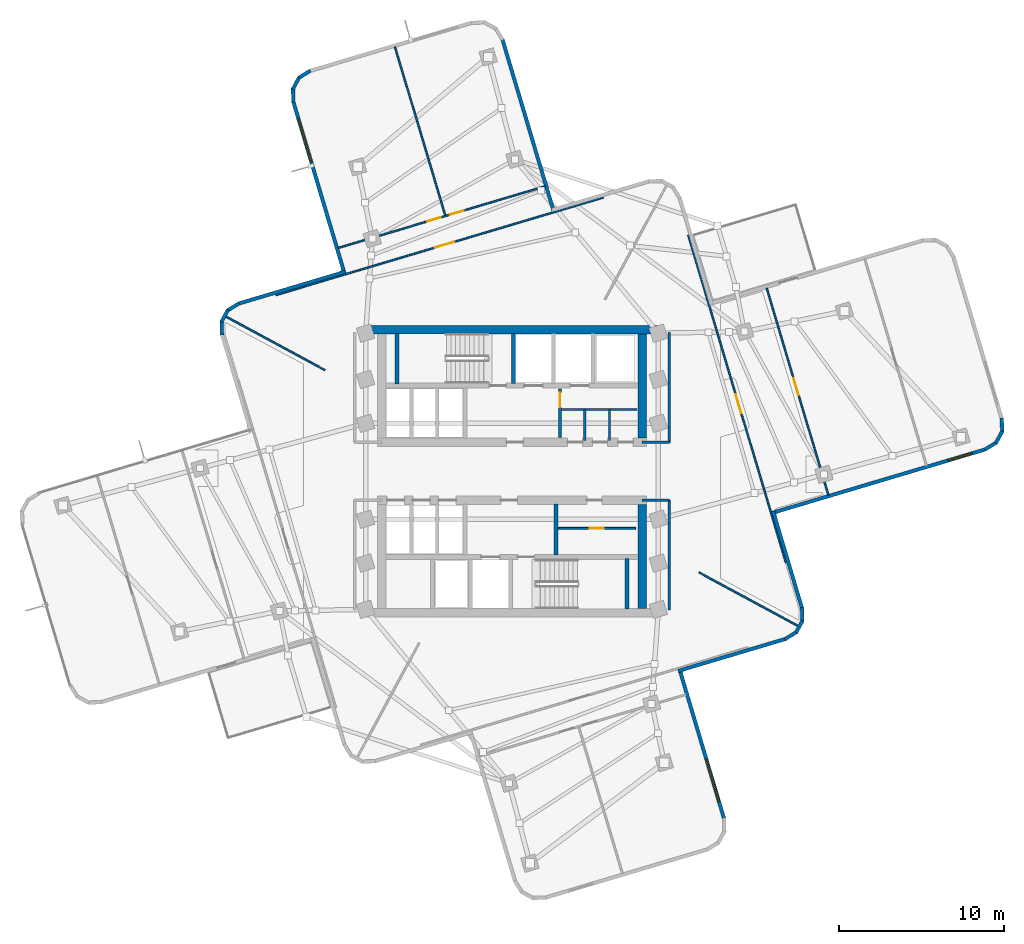
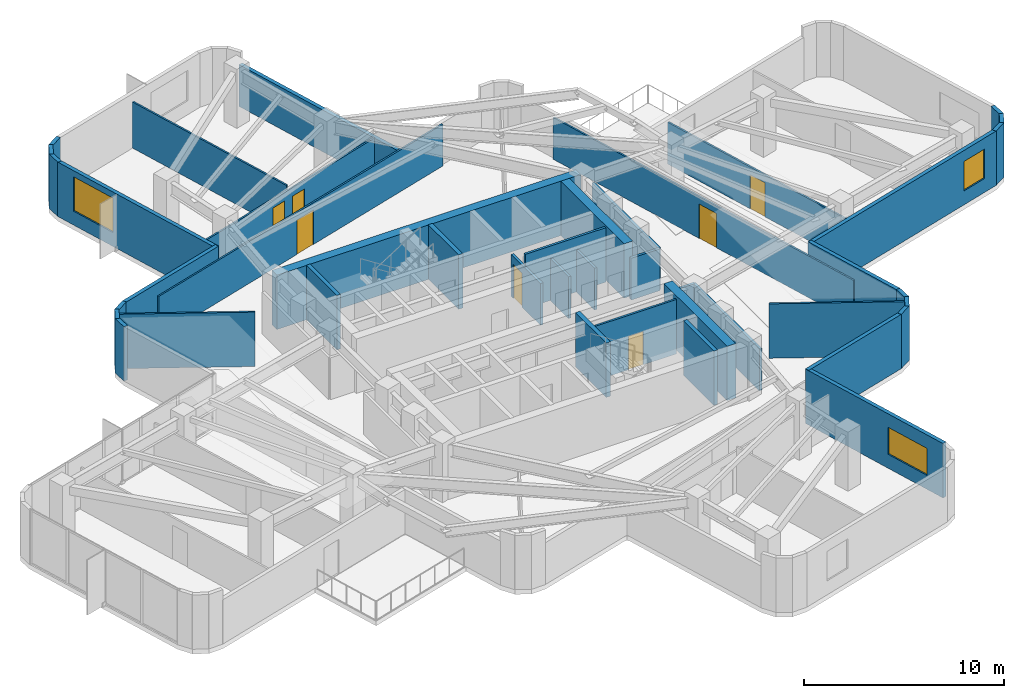
# One storey, part 7 of 11: 42 walls, 7 doors, 3 windows, 10 openings.
"""IFC4 building model written with IfcOpenShell, lengths in metres."""

from ifc_helpers import new_model, si_unit, direction, frame, frame_2d, origin, place, context, subcontext, project, spatial, rectangle, extrude, material, layer, layer_set, type_object, element, fill, save


model = new_model("IFC4")

# Units and contexts
model_context = context("Model", 3, precision=1e-05, world=origin(), true_north=direction((0.0, 1.0)))
body_context = subcontext(model_context, "Body", "Model", "MODEL_VIEW")
ifc_project = project(units=[si_unit("LENGTHUNIT", "METRE"), si_unit("AREAUNIT", "SQUARE_METRE"), si_unit("VOLUMEUNIT", "CUBIC_METRE"), si_unit("PLANEANGLEUNIT", "RADIAN"), si_unit("MASSUNIT", "GRAM", prefix="KILO")], contexts=[model_context])

# Site, building, storey
site_placement = place(None, origin())
site = spatial("IfcSite", under=ifc_project, at=site_placement, CompositionType="ELEMENT")
building_placement = place(site_placement, origin())
building = spatial("IfcBuilding", under=site, at=building_placement, Name="Solmarez Civic Tower", CompositionType="ELEMENT")
storey_placement = place(building_placement, frame((0.0, 0.0, 141.47998046875)))
storey = spatial("IfcBuildingStorey", under=building, at=storey_placement, Name="L37", CompositionType="ELEMENT", Elevation=141.47998046875)

# Walls
ifc_material_1 = material(Name="Concrete C60/75", Category="concrete")
ifc_layer_1 = layer(ifc_material_1, 0.5)
ifc_layer_set_1 = layer_set([ifc_layer_1], Name="Concrete C60/75")
wall_type_1 = type_object("IfcWallType", Name="WALL-CORE-500", PredefinedType="SHEAR", material=ifc_layer_set_1)
wall_1_placement = place(storey_placement, frame((-8.780029296875, 8.56005859375, 0.0), z_axis=(0.0, 0.0, 1.0), x_axis=(1.0, 0.0, 0.0)))
element("IfcWall", 1, at=wall_1_placement, inside=storey, type_object=wall_type_1, Name="L37 Split-Core Structural Wall NCW-N-L37", PredefinedType="SHEAR", context=body_context, shape_type="SweptSolid", body=[
    extrude(rectangle(XDim=17.56005859375, YDim=0.5, at=frame_2d((8.780029296875, 0.0))), origin(), (0.0, 0.0, 1.0), 3.320068359375),
])
for number, where, z_axis, x_axis, name in (
    (2, (7.8701171875, 8.31005859375, 0.0), (0.0, 0.0, 1.0), (0.0, -1.0, 0.0), "L37 Split-Core Structural Wall NCW-E-L37"),
    (3, (7.8701171875, -2.0, 0.0), (0.0, 0.0, 1.0), (0.0, -1.0, 0.0), "L37 Split-Core Structural Wall SCW-E-L37"),
):
    element("IfcWall", number, at=place(storey_placement, frame(where, z_axis=z_axis, x_axis=x_axis)), inside=storey, type_object=wall_type_1, Name=name, PredefinedType="SHEAR", context=body_context, shape_type="SweptSolid", body=[
        extrude(rectangle(XDim=6.31005859375, YDim=0.5, at=frame_2d((3.155029296875, 0.0))), origin(), (0.0, 0.0, 1.0), 3.320068359375),
    ])
ifc_material_2 = material(Name="Precast concrete C40/50", Category="concrete")
ifc_layer_2 = layer(ifc_material_2, 0.219970703125)
ifc_layer_set_2 = layer_set([ifc_layer_2], Name="Precast concrete C40/50")
wall_type_2 = type_object("IfcWallType", Name="WALL-EXT-220", PredefinedType="SOLIDWALL", material=ifc_layer_set_2)
wall_2_placement = place(storey_placement, frame((-17.532958984375, 8.24609375, 0.0), z_axis=(0.0, 0.0, 1.0), x_axis=(-0.028676726094, 0.999588738122, 0.0)))
element("IfcWall", 4, at=wall_2_placement, inside=storey, type_object=wall_type_2, Name="L37 Exterior Precast Wall 14", PredefinedType="SOLIDWALL", context=body_context, shape_type="SweptSolid", body=[
    extrude(rectangle(XDim=0.834228515625, YDim=0.219970703125, at=frame_2d((0.4169921875, 0.0))), origin(), (0.0, 0.0, 1.0), 3.320068359375),
])
wall_3_placement = place(storey_placement, frame((-17.568115234375, 9.032958984375, 0.0), z_axis=(0.0, 0.0, 1.0), x_axis=(0.475928115507, 0.879484183411, 0.0)))
element("IfcWall", 5, at=wall_3_placement, inside=storey, type_object=wall_type_2, Name="L37 Exterior Precast Wall 15", PredefinedType="SOLIDWALL", context=body_context, shape_type="SweptSolid", body=[
    extrude(rectangle(XDim=0.81982421875, YDim=0.219970703125, at=frame_2d((0.409912109375, 0.0))), origin(), (0.0, 0.0, 1.0), 3.320068359375),
])
wall_4_placement = place(storey_placement, frame((-17.2109375, 9.718994140625, 0.0), z_axis=(0.0, 0.0, 1.0), x_axis=(0.851597982144, 0.524195456684, 0.0)))
element("IfcWall", 6, at=wall_4_placement, inside=storey, type_object=wall_type_2, Name="L37 Exterior Precast Wall 16", PredefinedType="SOLIDWALL", context=body_context, shape_type="SweptSolid", body=[
    extrude(rectangle(XDim=0.833740234375, YDim=0.219970703125, at=frame_2d((0.4169921875, 0.0))), origin(), (0.0, 0.0, 1.0), 3.320068359375),
])
wall_5_placement = place(storey_placement, frame((-16.5458984375, 10.135986328125, 0.0), z_axis=(0.0, 0.0, 1.0), x_axis=(0.958346765514, 0.285607207592, 0.0)))
element("IfcWall", 7, at=wall_5_placement, inside=storey, type_object=wall_type_2, Name="L37 Exterior Precast Wall 17", PredefinedType="SOLIDWALL", context=body_context, shape_type="SweptSolid", body=[
    extrude(rectangle(XDim=6.75732421875, YDim=0.219970703125, at=frame_2d((3.378662109375, 0.0))), origin(), (0.0, 0.0, 1.0), 3.320068359375),
])

# Wall, opening, window
wall_6_placement = place(storey_placement, frame((-10.12890625, 11.95703125, 0.0), z_axis=(0.0, 0.0, 1.0), x_axis=(-0.285596101976, 0.958350075148, 0.0)))
wall_6 = element("IfcWall", 8, at=wall_6_placement, inside=storey, type_object=wall_type_2, Name="L37 Exterior Precast Wall 20", PredefinedType="SOLIDWALL", context=body_context, shape_type="SweptSolid", body=[
    extrude(rectangle(XDim=10.858154296875, YDim=0.219970703125, at=frame_2d((5.42919921875, 0.0))), origin(), (0.0, 0.0, 1.0), 3.320068359375),
])
opening_1_placement = place(wall_6_placement, frame((7.05810546875, 0.0, 0.85009765625)))
opening_1 = element("IfcOpeningElement", 9, at=opening_1_placement, cuts=wall_6, Name="Opening W-01", PredefinedType="OPENING", context=body_context, shape_type="SweptSolid", body=[
    extrude(rectangle(XDim=2.699951171875, YDim=2.10009765625, at=frame_2d((1.35009765625, 1.050048828125))), frame((0.0, 0.119873046875, 0.0), z_axis=(0.0, -1.0, 0.0), x_axis=(1.0, 0.0, 0.0)), (0.0, 0.0, 1.0), 0.239990234375),
])
ifc_material_3 = material(Name="Solar Control Bronze-Tinted Insulating Glass", Category="glass")
window_type_1 = type_object("IfcWindowType", Name="WIN-2700X2100", PartitioningType="SINGLE_PANEL", PredefinedType="WINDOW", material=ifc_material_3)
window_1_placement = place(opening_1_placement, origin())
window_1 = element("IfcWindow", 10, at=window_1_placement, inside=storey, type_object=window_type_1, Name="L37 Exterior Facade Window 20", OverallHeight=2.10009765625, OverallWidth=2.699951171875, PartitioningType="SINGLE_PANEL", PredefinedType="WINDOW", context=body_context, shape_type="SweptSolid", body=[
    extrude(rectangle(XDim=2.699951171875, YDim=2.10009765625, at=frame_2d((1.35009765625, 1.050048828125))), frame((0.0, 0.030029296875, 0.0), z_axis=(0.0, -1.0, 0.0), x_axis=(1.0, 0.0, 0.0)), (0.0, 0.0, 1.0), 0.06005859375),
])
fill(opening_1, window_1)

# Walls
wall_7_placement = place(storey_placement, frame((-13.221923828125, 22.31396484375, 0.0), z_axis=(0.0, 0.0, 1.0), x_axis=(-0.028969101418, 0.999580307511, 0.0)))
element("IfcWall", 11, at=wall_7_placement, inside=storey, type_object=wall_type_2, Name="L37 Exterior Precast Wall 21", PredefinedType="SOLIDWALL", context=body_context, shape_type="SweptSolid", body=[
    extrude(rectangle(XDim=0.834228515625, YDim=0.219970703125, at=frame_2d((0.4169921875, 0.0))), origin(), (0.0, 0.0, 1.0), 3.320068359375),
])
wall_8_placement = place(storey_placement, frame((-13.257080078125, 23.10107421875, 0.0), z_axis=(0.0, 0.0, 1.0), x_axis=(0.475928115507, 0.879484183411, 0.0)))
element("IfcWall", 12, at=wall_8_placement, inside=storey, type_object=wall_type_2, Name="L37 Exterior Precast Wall 22", PredefinedType="SOLIDWALL", context=body_context, shape_type="SweptSolid", body=[
    extrude(rectangle(XDim=0.81982421875, YDim=0.219970703125, at=frame_2d((0.409912109375, 0.0))), origin(), (0.0, 0.0, 1.0), 3.320068359375),
])
wall_9_placement = place(storey_placement, frame((-12.89990234375, 23.787109375, 0.0), z_axis=(0.0, 0.0, 1.0), x_axis=(0.852251459863, 0.52313234383, 0.0)))
element("IfcWall", 13, at=wall_9_placement, inside=storey, type_object=wall_type_2, Name="L37 Exterior Precast Wall 23", PredefinedType="SOLIDWALL", context=body_context, shape_type="SweptSolid", body=[
    extrude(rectangle(XDim=0.8330078125, YDim=0.219970703125, at=frame_2d((0.41650390625, 0.0))), origin(), (0.0, 0.0, 1.0), 3.320068359375),
])
wall_10_placement = place(storey_placement, frame((-0.580078125, 26.134033203125, 0.0), z_axis=(0.0, 0.0, 1.0), x_axis=(0.285596101976, -0.958350075148, 0.0)))
element("IfcWall", 14, at=wall_10_placement, inside=storey, type_object=wall_type_2, Name="L37 Exterior Precast Wall 28", PredefinedType="SOLIDWALL", context=body_context, shape_type="SweptSolid", body=[
    extrude(rectangle(XDim=10.858154296875, YDim=0.219970703125, at=frame_2d((5.42919921875, 0.0))), origin(), (0.0, 0.0, 1.0), 2.550048828125),
])
wall_11_placement = place(storey_placement, frame((29.613037109375, 3.212890625, 0.0), z_axis=(0.0, 0.0, 1.0), x_axis=(0.027507151941, -0.999621606705, 0.0)))
element("IfcWall", 15, at=wall_11_placement, inside=storey, type_object=wall_type_2, Name="L37 Exterior Precast Wall 43", PredefinedType="SOLIDWALL", context=body_context, shape_type="SweptSolid", body=[
    extrude(rectangle(XDim=0.834228515625, YDim=0.219970703125, at=frame_2d((0.4169921875, 0.0))), origin(), (0.0, 0.0, 1.0), 3.320068359375),
])
wall_12_placement = place(storey_placement, frame((29.64697265625, 2.426025390625, 0.0), z_axis=(0.0, 0.0, 1.0), x_axis=(-0.474775054815, -0.880107179453, 0.0)))
element("IfcWall", 16, at=wall_12_placement, inside=storey, type_object=wall_type_2, Name="L37 Exterior Precast Wall 44", PredefinedType="SOLIDWALL", context=body_context, shape_type="SweptSolid", body=[
    extrude(rectangle(XDim=0.819091796875, YDim=0.219970703125, at=frame_2d((0.40966796875, 0.0))), origin(), (0.0, 0.0, 1.0), 3.320068359375),
])
wall_13_placement = place(storey_placement, frame((29.291015625, 1.739990234375, 0.0), z_axis=(0.0, 0.0, 1.0), x_axis=(-0.851597982144, -0.524195456684, 0.0)))
element("IfcWall", 17, at=wall_13_placement, inside=storey, type_object=wall_type_2, Name="L37 Exterior Precast Wall 45", PredefinedType="SOLIDWALL", context=body_context, shape_type="SweptSolid", body=[
    extrude(rectangle(XDim=0.833740234375, YDim=0.219970703125, at=frame_2d((0.4169921875, 0.0))), origin(), (0.0, 0.0, 1.0), 3.320068359375),
])

# Wall, opening, window
wall_14_placement = place(storey_placement, frame((28.6259765625, 1.322998046875, 0.0), z_axis=(0.0, 0.0, 1.0), x_axis=(-0.958343962332, -0.285616613419, 0.0)))
wall_14 = element("IfcWall", 18, at=wall_14_placement, inside=storey, type_object=wall_type_2, Name="L37 Exterior Precast Wall 46", PredefinedType="SOLIDWALL", context=body_context, shape_type="SweptSolid", body=[
    extrude(rectangle(XDim=13.45849609375, YDim=0.219970703125, at=frame_2d((6.729248046875, 0.0))), origin(), (0.0, 0.0, 1.0), 3.320068359375),
])
opening_2_placement = place(wall_14_placement, frame((0.85009765625, 0.0, 0.85009765625)))
opening_2 = element("IfcOpeningElement", 19, at=opening_2_placement, cuts=wall_14, Name="Opening W-13", PredefinedType="OPENING", context=body_context, shape_type="SweptSolid", body=[
    extrude(rectangle(XDim=1.5, YDim=1.800048828125, at=frame_2d((0.75, 0.89990234375))), frame((0.0, 0.119873046875, 0.0), z_axis=(0.0, -1.0, 0.0), x_axis=(1.0, 0.0, 0.0)), (0.0, 0.0, 1.0), 0.239990234375),
])
window_type_2 = type_object("IfcWindowType", Name="WIN-1500X1800", PartitioningType="SINGLE_PANEL", PredefinedType="WINDOW", material=ifc_material_3)
window_2_placement = place(opening_2_placement, origin())
window_2 = element("IfcWindow", 20, at=window_2_placement, inside=storey, type_object=window_type_2, Name="L37 Exterior Facade Window 46", OverallHeight=1.800048828125, OverallWidth=1.5, PartitioningType="SINGLE_PANEL", PredefinedType="WINDOW", context=body_context, shape_type="SweptSolid", body=[
    extrude(rectangle(XDim=1.5, YDim=1.800048828125, at=frame_2d((0.75, 0.89990234375))), frame((0.0, 0.030029296875, 0.0), z_axis=(0.0, -1.0, 0.0), x_axis=(1.0, 0.0, 0.0)), (0.0, 0.0, 1.0), 0.06005859375),
])
fill(opening_2, window_2)

# Walls
wall_15_placement = place(storey_placement, frame((15.787109375, -2.412109375, 0.0), z_axis=(0.0, 0.0, 1.0), x_axis=(0.285712854037, -0.958315274342, 0.0)))
element("IfcWall", 21, at=wall_15_placement, inside=storey, type_object=wall_type_2, Name="L37 Exterior Precast Wall 49", PredefinedType="SOLIDWALL", context=body_context, shape_type="SweptSolid", body=[
    extrude(rectangle(XDim=6.138671875, YDim=0.219970703125, at=frame_2d((3.0693359375, 0.0))), origin(), (0.0, 0.0, 1.0), 3.320068359375),
])
wall_16_placement = place(storey_placement, frame((17.532958984375, -8.24609375, 0.0), z_axis=(0.0, 0.0, 1.0), x_axis=(0.028676726094, -0.999588738122, 0.0)))
element("IfcWall", 22, at=wall_16_placement, inside=storey, type_object=wall_type_2, Name="L37 Exterior Precast Wall 50", PredefinedType="SOLIDWALL", context=body_context, shape_type="SweptSolid", body=[
    extrude(rectangle(XDim=0.834228515625, YDim=0.219970703125, at=frame_2d((0.4169921875, 0.0))), origin(), (0.0, 0.0, 1.0), 3.320068359375),
])
wall_17_placement = place(storey_placement, frame((17.568115234375, -9.032958984375, 0.0), z_axis=(0.0, 0.0, 1.0), x_axis=(-0.475928115507, -0.879484183411, 0.0)))
element("IfcWall", 23, at=wall_17_placement, inside=storey, type_object=wall_type_2, Name="L37 Exterior Precast Wall 51", PredefinedType="SOLIDWALL", context=body_context, shape_type="SweptSolid", body=[
    extrude(rectangle(XDim=0.81982421875, YDim=0.219970703125, at=frame_2d((0.409912109375, 0.0))), origin(), (0.0, 0.0, 1.0), 3.320068359375),
])
wall_18_placement = place(storey_placement, frame((17.2109375, -9.718994140625, 0.0), z_axis=(0.0, 0.0, 1.0), x_axis=(-0.851597982144, -0.524195456684, 0.0)))
element("IfcWall", 24, at=wall_18_placement, inside=storey, type_object=wall_type_2, Name="L37 Exterior Precast Wall 52", PredefinedType="SOLIDWALL", context=body_context, shape_type="SweptSolid", body=[
    extrude(rectangle(XDim=0.833740234375, YDim=0.219970703125, at=frame_2d((0.4169921875, 0.0))), origin(), (0.0, 0.0, 1.0), 3.320068359375),
])
wall_19_placement = place(storey_placement, frame((16.5458984375, -10.135986328125, 0.0), z_axis=(0.0, 0.0, 1.0), x_axis=(-0.958346765514, -0.285607207592, 0.0)))
element("IfcWall", 25, at=wall_19_placement, inside=storey, type_object=wall_type_2, Name="L37 Exterior Precast Wall 53", PredefinedType="SOLIDWALL", context=body_context, shape_type="SweptSolid", body=[
    extrude(rectangle(XDim=6.75732421875, YDim=0.219970703125, at=frame_2d((3.378662109375, 0.0))), origin(), (0.0, 0.0, 1.0), 3.320068359375),
])

# Wall, opening, window
wall_20_placement = place(storey_placement, frame((10.12890625, -11.95703125, 0.0), z_axis=(0.0, 0.0, 1.0), x_axis=(0.285599672934, -0.958349010966, 0.0)))
wall_20 = element("IfcWall", 26, at=wall_20_placement, inside=storey, type_object=wall_type_2, Name="L37 Exterior Precast Wall 56", PredefinedType="SOLIDWALL", context=body_context, shape_type="SweptSolid", body=[
    extrude(rectangle(XDim=9.4580078125, YDim=0.219970703125, at=frame_2d((4.72900390625, 0.0))), origin(), (0.0, 0.0, 1.0), 3.320068359375),
])
opening_3_placement = place(wall_20_placement, frame((5.657958984375, 0.0, 0.85009765625)))
opening_3 = element("IfcOpeningElement", 27, at=opening_3_placement, cuts=wall_20, Name="Opening W-09", PredefinedType="OPENING", context=body_context, shape_type="SweptSolid", body=[
    extrude(rectangle(XDim=2.699951171875, YDim=1.64990234375, at=frame_2d((1.35009765625, 0.824951171875))), frame((0.0, 0.119873046875, 0.0), z_axis=(0.0, -1.0, 0.0), x_axis=(1.0, 0.0, 0.0)), (0.0, 0.0, 1.0), 0.239990234375),
])
window_type_3 = type_object("IfcWindowType", Name="WIN-2700X1650", PartitioningType="SINGLE_PANEL", PredefinedType="WINDOW", material=ifc_material_3)
window_3_placement = place(opening_3_placement, origin())
window_3 = element("IfcWindow", 28, at=window_3_placement, inside=storey, type_object=window_type_3, Name="L37 Exterior Facade Window 56", OverallHeight=1.64990234375, OverallWidth=2.699951171875, PartitioningType="SINGLE_PANEL", PredefinedType="WINDOW", context=body_context, shape_type="SweptSolid", body=[
    extrude(rectangle(XDim=2.699951171875, YDim=1.64990234375, at=frame_2d((1.35009765625, 0.824951171875))), frame((0.0, 0.030029296875, 0.0), z_axis=(0.0, -1.0, 0.0), x_axis=(1.0, 0.0, 0.0)), (0.0, 0.0, 1.0), 0.06005859375),
])
fill(opening_3, window_3)

# Walls
ifc_material_4 = material(Name="Gypsum Board Acoustic Steel-Stud Partition", Category="steel")
ifc_layer_3 = layer(ifc_material_4, 0.14990234375)
ifc_layer_set_3 = layer_set([ifc_layer_3], Name="Gypsum Board Acoustic Steel-Stud Partition")
wall_type_3 = type_object("IfcWallType", Name="WALL-INT-FIRE-150", PredefinedType="PARTITIONING", material=ifc_layer_set_3)
wall_21_placement = place(storey_placement, frame((9.52001953125, 1.75, 0.0), z_axis=(0.0, 0.0, 1.0), x_axis=(0.0, 1.0, 0.0)))
element("IfcWall", 29, at=wall_21_placement, inside=storey, type_object=wall_type_3, Name="L37 Interior Partition CHW-L37-EN1", PredefinedType="PARTITIONING", context=body_context, shape_type="SweptSolid", body=[
    extrude(rectangle(XDim=6.6298828125, YDim=0.14990234375, at=frame_2d((3.31494140625, 0.0))), origin(), (0.0, 0.0, 1.0), 2.550048828125),
])
wall_22_placement = place(storey_placement, frame((7.85009765625, 1.75, 0.0), z_axis=(0.0, 0.0, 1.0), x_axis=(1.0, 0.0, 0.0)))
element("IfcWall", 30, at=wall_22_placement, inside=storey, type_object=wall_type_3, Name="L37 Interior Partition CHW-L37-EN3", PredefinedType="PARTITIONING", context=body_context, shape_type="SweptSolid", body=[
    extrude(rectangle(XDim=1.669921875, YDim=0.14990234375, at=frame_2d((0.8349609375, 0.0))), origin(), (0.0, 0.0, 1.0), 2.550048828125),
])
wall_23_placement = place(storey_placement, frame((9.52001953125, -8.3798828125, 0.0), z_axis=(0.0, 0.0, 1.0), x_axis=(0.0, 1.0, 0.0)))
element("IfcWall", 31, at=wall_23_placement, inside=storey, type_object=wall_type_3, Name="L37 Interior Partition CHW-L37-ES1", PredefinedType="PARTITIONING", context=body_context, shape_type="SweptSolid", body=[
    extrude(rectangle(XDim=6.6298828125, YDim=0.14990234375, at=frame_2d((3.31494140625, 0.0))), origin(), (0.0, 0.0, 1.0), 2.550048828125),
])
wall_24_placement = place(storey_placement, frame((7.85009765625, -1.75, 0.0), z_axis=(0.0, 0.0, 1.0), x_axis=(1.0, 0.0, 0.0)))
element("IfcWall", 32, at=wall_24_placement, inside=storey, type_object=wall_type_3, Name="L37 Interior Partition CHW-L37-ES3", PredefinedType="PARTITIONING", context=body_context, shape_type="SweptSolid", body=[
    extrude(rectangle(XDim=1.669921875, YDim=0.14990234375, at=frame_2d((0.8349609375, 0.0))), origin(), (0.0, 0.0, 1.0), 2.550048828125),
])
ifc_layer_4 = layer(ifc_material_4, 0.10009765625)
ifc_layer_set_4 = layer_set([ifc_layer_4], Name="Gypsum Board Acoustic Steel-Stud Partition")
wall_type_4 = type_object("IfcWallType", Name="WALL-INT-PART-100", PredefinedType="PARTITIONING", material=ifc_layer_set_4)
for number, where, z_axis, x_axis, name in (
    (33, (-11.300048828125, 6.110107421875, 0.0), (0.0, 0.0, 1.0), (-0.879653556483, 0.475614991948, 0.0), "L37 Interior Partition PT-L37-QDIV-2"),
    (34, (11.300048828125, -6.110107421875, 0.0), (0.0, 0.0, 1.0), (0.879653556483, -0.475614991948, 0.0), "L37 Interior Partition PT-L37-QDIV-4"),
):
    element("IfcWall", number, at=place(storey_placement, frame(where, z_axis=z_axis, x_axis=x_axis)), inside=storey, type_object=wall_type_4, Name=name, PredefinedType="PARTITIONING", context=body_context, shape_type="SweptSolid", body=[
        extrude(rectangle(XDim=6.82861328125, YDim=0.10009765625, at=frame_2d((3.414306640625, 0.0))), origin(), (0.0, 0.0, 1.0), 3.320068359375),
    ])

# Wall, opening, door
wall_25_placement = place(storey_placement, frame((10.655029296875, 14.279052734375, 0.0), z_axis=(0.0, 0.0, 1.0), x_axis=(0.285665949025, -0.958329257389, 0.0)))
wall_25 = element("IfcWall", 35, at=wall_25_placement, inside=storey, type_object=wall_type_4, Name="L37 Interior Partition PT-L37-E-ENT", PredefinedType="PARTITIONING", context=body_context, shape_type="SweptSolid", body=[
    extrude(rectangle(XDim=20.659912109375, YDim=0.10009765625, at=frame_2d((10.330078125, 0.0))), origin(), (0.0, 0.0, 1.0), 2.550048828125),
])
opening_4_placement = place(wall_25_placement, frame((10.0400390625, 0.0, 0.0)))
opening_4 = element("IfcOpeningElement", 36, at=opening_4_placement, cuts=wall_25, Name="Opening D-11", PredefinedType="OPENING", context=body_context, shape_type="SweptSolid", body=[
    extrude(rectangle(XDim=1.199951171875, YDim=2.10009765625, at=frame_2d((0.60009765625, 1.050048828125))), frame((0.0, 0.06005859375, 0.0), z_axis=(0.0, -1.0, 0.0), x_axis=(1.0, 0.0, 0.0)), (0.0, 0.0, 1.0), 0.1201171875),
])
ifc_material_5 = material(Name="Glazed-Vision Acoustic Chamber Door", Category="wood")
door_type_1 = type_object("IfcDoorType", Name="DOOR-INT-1200", OperationType="NOTDEFINED", PredefinedType="DOOR", material=ifc_material_5)
door_1_placement = place(opening_4_placement, origin())
door_1 = element("IfcDoor", 37, at=door_1_placement, inside=storey, type_object=door_type_1, Name="L37 Maritime Registry Citizen Consultation Room First East Door", OperationType="SINGLE_SWING_LEFT", OverallHeight=2.10009765625, OverallWidth=1.199951171875, PredefinedType="DOOR", context=body_context, shape_type="SweptSolid", body=[
    extrude(rectangle(XDim=1.199951171875, YDim=2.10009765625, at=frame_2d((0.60009765625, 1.050048828125))), frame((0.0, 0.02490234375, 0.0), z_axis=(0.0, -1.0, 0.0), x_axis=(1.0, 0.0, 0.0)), (0.0, 0.0, 1.0), 0.050048828125),
])
fill(opening_4, door_1)

wall_26_placement = place(storey_placement, frame((15.39794921875, 11.075927734375, 0.0), z_axis=(0.0, 0.0, 1.0), x_axis=(0.285679130118, -0.958325328171, 0.0)))
wall_26 = element("IfcWall", 38, at=wall_26_placement, inside=storey, type_object=wall_type_4, Name="L37 Interior Partition PT-L37-E-SC1", PredefinedType="PARTITIONING", context=body_context, shape_type="SweptSolid", body=[
    extrude(rectangle(XDim=13.0498046875, YDim=0.10009765625, at=frame_2d((6.52490234375, 0.0))), origin(), (0.0, 0.0, 1.0), 2.550048828125),
])
opening_5_placement = place(wall_26_placement, frame((5.68994140625, 0.0, 0.0)))
opening_5 = element("IfcOpeningElement", 39, at=opening_5_placement, cuts=wall_26, Name="Opening D-13", PredefinedType="OPENING", context=body_context, shape_type="SweptSolid", body=[
    extrude(rectangle(XDim=1.050048828125, YDim=2.080078125, at=frame_2d((0.52490234375, 1.0400390625))), frame((0.0, 0.06005859375, 0.0), z_axis=(0.0, -1.0, 0.0), x_axis=(1.0, 0.0, 0.0)), (0.0, 0.0, 1.0), 0.1201171875),
])
ifc_material_6 = material(Name="Timber Directorate Office Door", Category="wood")
door_type_2 = type_object("IfcDoorType", Name="DOOR-INT-1050", OperationType="NOTDEFINED", PredefinedType="DOOR", material=ifc_material_6)
door_2_placement = place(opening_5_placement, origin())
door_2 = element("IfcDoor", 40, at=door_2_placement, inside=storey, type_object=door_type_2, Name="L37 Policy Administration Office East Door", OperationType="SINGLE_SWING_LEFT", OverallHeight=2.080078125, OverallWidth=1.050048828125, PredefinedType="DOOR", context=body_context, shape_type="SweptSolid", body=[
    extrude(rectangle(XDim=1.050048828125, YDim=2.080078125, at=frame_2d((0.52490234375, 1.0400390625))), frame((0.0, 0.02490234375, 0.0), z_axis=(0.0, -1.0, 0.0), x_axis=(1.0, 0.0, 0.0)), (0.0, 0.0, 1.0), 0.050048828125),
])
fill(opening_5, door_2)

wall_27_placement = place(storey_placement, frame((-14.279052734375, 10.655029296875, 0.0), z_axis=(0.0, 0.0, 1.0), x_axis=(0.958329257389, 0.285665949025, 0.0)))
wall_27 = element("IfcWall", 41, at=wall_27_placement, inside=storey, type_object=wall_type_4, Name="L37 Interior Partition PT-L37-N-ENT", PredefinedType="PARTITIONING", context=body_context, shape_type="SweptSolid", body=[
    extrude(rectangle(XDim=20.659912109375, YDim=0.10009765625, at=frame_2d((10.330078125, 0.0))), origin(), (0.0, 0.0, 1.0), 2.550048828125),
])
opening_6_placement = place(wall_27_placement, frame((10.0400390625, 0.0, 0.0)))
opening_6 = element("IfcOpeningElement", 42, at=opening_6_placement, cuts=wall_27, Name="Opening D-11", PredefinedType="OPENING", context=body_context, shape_type="SweptSolid", body=[
    extrude(rectangle(XDim=1.199951171875, YDim=2.10009765625, at=frame_2d((0.60009765625, 1.050048828125))), frame((0.0, 0.06005859375, 0.0), z_axis=(0.0, -1.0, 0.0), x_axis=(1.0, 0.0, 0.0)), (0.0, 0.0, 1.0), 0.1201171875),
])
door_3_placement = place(opening_6_placement, origin())
door_3 = element("IfcDoor", 43, at=door_3_placement, inside=storey, type_object=door_type_1, Name="L37 Policy Administration Office First North Door", OperationType="SINGLE_SWING_LEFT", OverallHeight=2.10009765625, OverallWidth=1.199951171875, PredefinedType="DOOR", context=body_context, shape_type="SweptSolid", body=[
    extrude(rectangle(XDim=1.199951171875, YDim=2.10009765625, at=frame_2d((0.60009765625, 1.050048828125))), frame((0.0, 0.02490234375, 0.0), z_axis=(0.0, -1.0, 0.0), x_axis=(1.0, 0.0, 0.0)), (0.0, 0.0, 1.0), 0.050048828125),
])
fill(opening_6, door_3)

# Wall
wall_28_placement = place(storey_placement, frame((-4.0439453125, 15.489990234375, 0.0), z_axis=(0.0, 0.0, 1.0), x_axis=(-0.285623556367, 0.958341893088, 0.0)))
element("IfcWall", 44, at=wall_28_placement, inside=storey, type_object=wall_type_4, Name="L37 Interior Partition PT-L37-N-TSP", PredefinedType="PARTITIONING", context=body_context, shape_type="SweptSolid", body=[
    extrude(rectangle(XDim=10.615234375, YDim=0.10009765625, at=frame_2d((5.3076171875, 0.0))), origin(), (0.0, 0.0, 1.0), 2.81201171875),
])

# Wall, openings, doors
wall_29_placement = place(storey_placement, frame((1.99609375, 17.22802734375, 0.0), z_axis=(0.0, 0.0, 1.0), x_axis=(-0.958326854981, -0.285674008308, 0.0)))
wall_29 = element("IfcWall", 45, at=wall_29_placement, inside=storey, type_object=wall_type_4, Name="L37 Interior Partition PT-L37-N-SCUT", PredefinedType="PARTITIONING", context=body_context, shape_type="SweptSolid", body=[
    extrude(rectangle(XDim=13.050048828125, YDim=0.10009765625, at=frame_2d((6.52490234375, 0.0))), origin(), (0.0, 0.0, 1.0), 2.550048828125),
])
opening_7_placement = place(wall_29_placement, frame((5.135009765625, 0.0, 0.0)))
opening_7 = element("IfcOpeningElement", 46, at=opening_7_placement, cuts=wall_29, Name="Opening D-14", PredefinedType="OPENING", context=body_context, shape_type="SweptSolid", body=[
    extrude(rectangle(XDim=0.860107421875, YDim=2.0400390625, at=frame_2d((0.43017578125, 1.02001953125))), frame((0.0, 0.06005859375, 0.0), z_axis=(0.0, -1.0, 0.0), x_axis=(1.0, 0.0, 0.0)), (0.0, 0.0, 1.0), 0.1201171875),
])
opening_8_placement = place(wall_29_placement, frame((6.574951171875, 0.0, 0.0)))
opening_8 = element("IfcOpeningElement", 47, at=opening_8_placement, cuts=wall_29, Name="Opening D-14", PredefinedType="OPENING", context=body_context, shape_type="SweptSolid", body=[
    extrude(rectangle(XDim=0.860107421875, YDim=2.0400390625, at=frame_2d((0.43017578125, 1.02001953125))), frame((0.0, 0.06005859375, 0.0), z_axis=(0.0, -1.0, 0.0), x_axis=(1.0, 0.0, 0.0)), (0.0, 0.0, 1.0), 0.1201171875),
])
ifc_material_7 = material(Name="Timber Storage and Pantry Door", Category="wood")
door_type_3 = type_object("IfcDoorType", Name="DOOR-INT-850", OperationType="NOTDEFINED", PredefinedType="DOOR", material=ifc_material_7)
door_4_placement = place(opening_7_placement, origin())
door_4 = element("IfcDoor", 48, at=door_4_placement, inside=storey, type_object=door_type_3, Name="L37 Legal Counselling Room Third North Door", OperationType="SINGLE_SWING_RIGHT", OverallHeight=2.0400390625, OverallWidth=0.860107421875, PredefinedType="DOOR", context=body_context, shape_type="SweptSolid", body=[
    extrude(rectangle(XDim=0.860107421875, YDim=2.0400390625, at=frame_2d((0.43017578125, 1.02001953125))), frame((0.0, 0.02490234375, 0.0), z_axis=(0.0, -1.0, 0.0), x_axis=(1.0, 0.0, 0.0)), (0.0, 0.0, 1.0), 0.050048828125),
])
fill(opening_7, door_4)
door_5_placement = place(opening_8_placement, origin())
door_5 = element("IfcDoor", 49, at=door_5_placement, inside=storey, type_object=door_type_3, Name="L37 Directorate Office Second North Door", OperationType="SINGLE_SWING_LEFT", OverallHeight=2.0400390625, OverallWidth=0.860107421875, PredefinedType="DOOR", context=body_context, shape_type="SweptSolid", body=[
    extrude(rectangle(XDim=0.860107421875, YDim=2.0400390625, at=frame_2d((0.43017578125, 1.02001953125))), frame((0.0, 0.02490234375, 0.0), z_axis=(0.0, -1.0, 0.0), x_axis=(1.0, 0.0, 0.0)), (0.0, 0.0, 1.0), 0.050048828125),
])
fill(opening_8, door_5)

# Wall, opening, door
ifc_layer_5 = layer(ifc_material_4, 0.1201171875)
ifc_layer_set_5 = layer_set([ifc_layer_5], Name="Gypsum Board Acoustic Steel-Stud Partition")
wall_type_5 = type_object("IfcWallType", Name="WALL-INT-PART-120", PredefinedType="PARTITIONING", material=ifc_layer_set_5)
wall_30_placement = place(storey_placement, frame((2.800048828125, -3.449951171875, 0.0), z_axis=(0.0, 0.0, 1.0), x_axis=(1.0, 0.0, 0.0)))
wall_30 = element("IfcWall", 50, at=wall_30_placement, inside=storey, type_object=wall_type_5, Name="L37 Interior Partition PT-FPLL-L37", PredefinedType="PARTITIONING", context=body_context, shape_type="SweptSolid", body=[
    extrude(rectangle(XDim=4.679931640625, YDim=0.1201171875, at=frame_2d((2.33984375, 0.0))), origin(), (0.0, 0.0, 1.0), 3.320068359375),
])
opening_9_placement = place(wall_30_placement, frame((1.89990234375, 0.0, 0.0)))
opening_9 = element("IfcOpeningElement", 51, at=opening_9_placement, cuts=wall_30, Name="Opening D-14", PredefinedType="OPENING", context=body_context, shape_type="SweptSolid", body=[
    extrude(rectangle(XDim=0.860107421875, YDim=2.0400390625, at=frame_2d((0.43017578125, 1.02001953125))), frame((0.0, 0.070068359375, 0.0), z_axis=(0.0, -1.0, 0.0), x_axis=(1.0, 0.0, 0.0)), (0.0, 0.0, 1.0), 0.14013671875),
])
door_6_placement = place(opening_9_placement, origin())
door_6 = element("IfcDoor", 52, at=door_6_placement, inside=storey, type_object=door_type_3, Name="L37 Records Filing Room Door", OperationType="SINGLE_SWING_LEFT", OverallHeight=2.0400390625, OverallWidth=0.860107421875, PredefinedType="DOOR", context=body_context, shape_type="SweptSolid", body=[
    extrude(rectangle(XDim=0.860107421875, YDim=2.0400390625, at=frame_2d((0.43017578125, 1.02001953125))), frame((0.0, 0.02490234375, 0.0), z_axis=(0.0, -1.0, 0.0), x_axis=(1.0, 0.0, 0.0)), (0.0, 0.0, 1.0), 0.050048828125),
])
fill(opening_9, door_6)

ifc_layer_6 = layer(ifc_material_4, 0.159912109375)
ifc_layer_set_6 = layer_set([ifc_layer_6], Name="Gypsum Board Acoustic Steel-Stud Partition")
wall_type_6 = type_object("IfcWallType", Name="WALL-INT-SHAFT-160", PredefinedType="PARTITIONING", material=ifc_layer_set_6)
wall_31_placement = place(storey_placement, frame((2.89990234375, 2.0400390625, 0.0), z_axis=(0.0, 0.0, 1.0), x_axis=(0.0, 1.0, 0.0)))
wall_31 = element("IfcWall", 53, at=wall_31_placement, inside=storey, type_object=wall_type_6, Name="L37 Interior Partition SHW-NL2-L37", PredefinedType="PARTITIONING", context=body_context, shape_type="SweptSolid", body=[
    extrude(rectangle(XDim=2.93994140625, YDim=0.159912109375, at=frame_2d((1.469970703125, 0.0))), origin(), (0.0, 0.0, 1.0), 2.550048828125),
])
opening_10_placement = place(wall_31_placement, frame((1.820068359375, 0.0, 0.0)))
opening_10 = element("IfcOpeningElement", 54, at=opening_10_placement, cuts=wall_31, Name="Opening D-09", PredefinedType="OPENING", context=body_context, shape_type="SweptSolid", body=[
    extrude(rectangle(XDim=0.89990234375, YDim=2.06005859375, at=frame_2d((0.449951171875, 1.030029296875))), frame((0.0, 0.08984375, 0.0), z_axis=(0.0, -1.0, 0.0), x_axis=(1.0, 0.0, 0.0)), (0.0, 0.0, 1.0), 0.179931640625),
])
ifc_material_8 = material(Name="Fire-Rated Service Core Door", Category="wood")
door_type_4 = type_object("IfcDoorType", Name="DOOR-FD60-900", OperationType="NOTDEFINED", PredefinedType="DOOR", material=ifc_material_8)
door_7_placement = place(opening_10_placement, origin())
door_7 = element("IfcDoor", 55, at=door_7_placement, inside=storey, type_object=door_type_4, Name="L37 Service Lift Lobby Door", OperationType="SINGLE_SWING_LEFT", OverallHeight=2.06005859375, OverallWidth=0.89990234375, PredefinedType="DOOR", context=body_context, shape_type="SweptSolid", body=[
    extrude(rectangle(XDim=0.89990234375, YDim=2.06005859375, at=frame_2d((0.449951171875, 1.030029296875))), frame((0.0, 0.02490234375, 0.0), z_axis=(0.0, -1.0, 0.0), x_axis=(1.0, 0.0, 0.0)), (0.0, 0.0, 1.0), 0.050048828125),
])
fill(opening_10, door_7)

# Walls
ifc_layer_7 = layer(ifc_material_4, 0.137939453125)
ifc_layer_set_7 = layer_set([ifc_layer_7], Name="Gypsum Board Acoustic Steel-Stud Partition")
wall_type_7 = type_object("IfcWallType", Name="WALL-INT-WET-140", PredefinedType="PARTITIONING", material=ifc_layer_set_7)
wall_32_placement = place(storey_placement, frame((2.89990234375, 3.739990234375, 0.0), z_axis=(0.0, 0.0, 1.0), x_axis=(1.0, 0.0, 0.0)))
element("IfcWall", 56, at=wall_32_placement, inside=storey, type_object=wall_type_7, Name="L37 Interior Partition SHW-SVH-L37", PredefinedType="PARTITIONING", context=body_context, shape_type="SweptSolid", body=[
    extrude(rectangle(XDim=4.650146484375, YDim=0.137939453125, at=frame_2d((2.3251953125, 0.0))), origin(), (0.0, 0.0, 1.0), 3.320068359375),
])
for number, where, z_axis, x_axis, name in (
    (57, (4.39990234375, 1.85009765625, 0.0), (0.0, 0.0, 1.0), (0.0, 1.0, 0.0), "L37 Interior Partition PT-NCSV1-L37"),
    (58, (5.89990234375, 1.85009765625, 0.0), (0.0, 0.0, 1.0), (0.0, 1.0, 0.0), "L37 Interior Partition PT-NCSV2-L37"),
):
    element("IfcWall", number, at=place(storey_placement, frame(where, z_axis=z_axis, x_axis=x_axis)), inside=storey, type_object=wall_type_7, Name=name, PredefinedType="PARTITIONING", context=body_context, shape_type="SweptSolid", body=[
        extrude(rectangle(XDim=1.889892578125, YDim=0.137939453125, at=frame_2d((0.94482421875, 0.0))), origin(), (0.0, 0.0, 1.0), 2.550048828125),
    ])
ifc_material_9 = material(Name="Concrete C50/60", Category="concrete")
ifc_layer_8 = layer(ifc_material_9, 0.300048828125)
ifc_layer_set_8 = layer_set([ifc_layer_8], Name="Concrete C50/60")
wall_type_8 = type_object("IfcWallType", Name="WALL-STR-300", PredefinedType="SOLIDWALL", material=ifc_layer_set_8)
for number, where, z_axis, x_axis, name in (
    (59, (-6.949951171875, 5.280029296875, 0.0), (0.0, 0.0, 1.0), (0.0, 1.0, 0.0), "L37 Split-Core Structural Wall SHW-NW-L37"),
    (60, (6.949951171875, -8.340087890625, 0.0), (0.0, 0.0, 1.0), (0.0, 1.0, 0.0), "L37 Split-Core Structural Wall SHW-SE-L37"),
):
    element("IfcWall", number, at=place(storey_placement, frame(where, z_axis=z_axis, x_axis=x_axis)), inside=storey, type_object=wall_type_8, Name=name, PredefinedType="SOLIDWALL", context=body_context, shape_type="SweptSolid", body=[
        extrude(rectangle(XDim=3.06005859375, YDim=0.219970703125, at=frame_2d((1.530029296875, 0.0))), origin(), (0.0, 0.0, 1.0), 3.320068359375),
    ])
wall_33_placement = place(storey_placement, frame((0.10009765625, 5.300048828125, 0.0), z_axis=(0.0, 0.0, 1.0), x_axis=(0.0, 1.0, 0.0)))
element("IfcWall", 61, at=wall_33_placement, inside=storey, type_object=wall_type_8, Name="L37 Split-Core Structural Wall SHW-N1-L37", PredefinedType="SOLIDWALL", context=body_context, shape_type="SweptSolid", body=[
    extrude(rectangle(XDim=3.0400390625, YDim=0.25, at=frame_2d((1.52001953125, 0.0))), origin(), (0.0, 0.0, 1.0), 3.320068359375),
])
wall_34_placement = place(storey_placement, frame((2.64990234375, -5.050048828125, 0.0), z_axis=(0.0, 0.0, 1.0), x_axis=(0.0, 1.0, 0.0)))
element("IfcWall", 62, at=wall_34_placement, inside=storey, type_object=wall_type_8, Name="L37 Split-Core Structural Wall SHW-SL2-L37", PredefinedType="SOLIDWALL", context=body_context, shape_type="SweptSolid", body=[
    extrude(rectangle(XDim=3.070068359375, YDim=0.25, at=frame_2d((1.53515625, 0.0))), origin(), (0.0, 0.0, 1.0), 3.320068359375),
])

save(model, "model.ifc")
